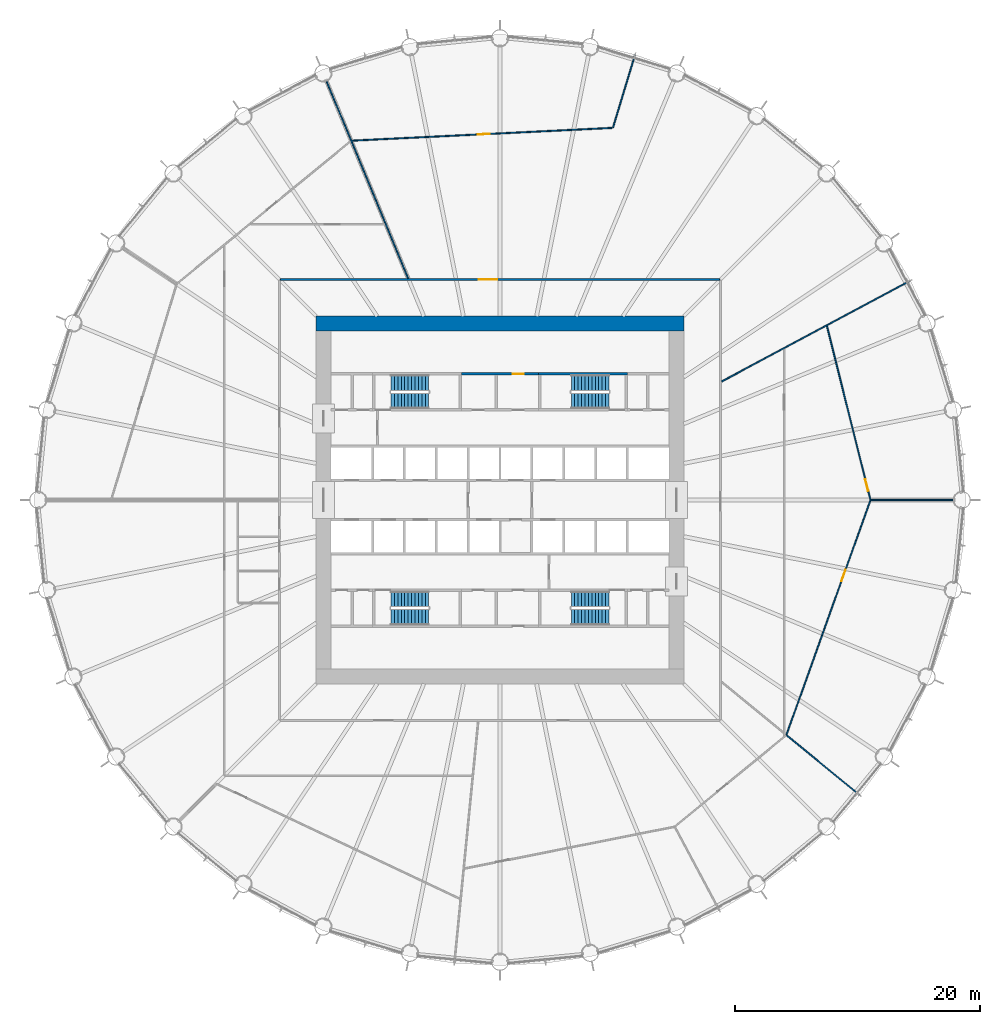
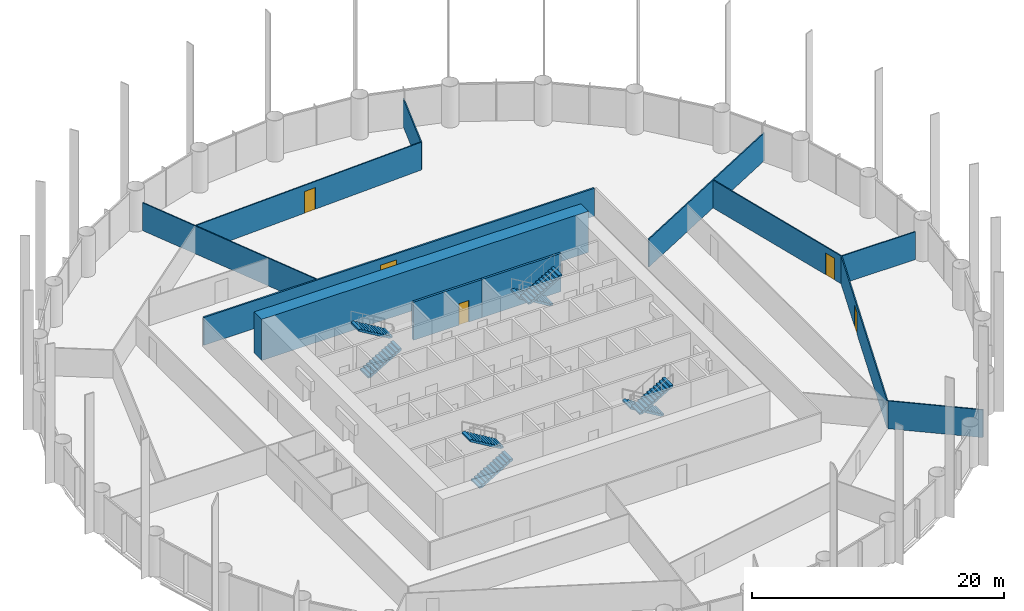
# One storey, part 12 of 14: 12 walls, 8 stair flights, 5 doors, 5 openings, 4 elements without a shape of their own.
"""IFC4 building model written with IfcOpenShell, lengths in metres."""

from ifc_helpers import new_model, si_unit, direction, frame, frame_2d, origin, place, context, subcontext, project, spatial, polyline, rectangle, outline, extrude, material, layer, layer_set, type_object, element, fill, aggregate, save


model = new_model("IFC4")

# Units and contexts
model_context = context("Model", 3, precision=1e-05, world=origin(), true_north=direction((0.0, 1.0)))
body_context = subcontext(model_context, "Body", "Model", "MODEL_VIEW")
ifc_project = project(units=[si_unit("LENGTHUNIT", "METRE"), si_unit("AREAUNIT", "SQUARE_METRE"), si_unit("VOLUMEUNIT", "CUBIC_METRE"), si_unit("PLANEANGLEUNIT", "RADIAN"), si_unit("MASSUNIT", "GRAM", prefix="KILO")], contexts=[model_context])

# Site, building, storey
site_placement = place(None, origin())
site = spatial("IfcSite", under=ifc_project, at=site_placement, CompositionType="ELEMENT")
building_placement = place(site_placement, origin())
building = spatial("IfcBuilding", under=site, at=building_placement, Name="Corvane Civic Tower", CompositionType="ELEMENT")
storey_placement = place(building_placement, frame((0.0, 0.0, 77.0)))
storey = spatial("IfcBuildingStorey", under=building, at=storey_placement, Name="L17", CompositionType="ELEMENT", Elevation=77.0)

# Wall
ifc_material_1 = material(Name="Concrete C80/95", Category="concrete")
ifc_layer_1 = layer(ifc_material_1, 1.199951171875)
ifc_layer_set_1 = layer_set([ifc_layer_1], Name="Concrete C80/95")
wall_type_1 = type_object("IfcWallType", Name="CORE WALL 1200 C80/95", PredefinedType="SHEAR", material=ifc_layer_set_1)
wall_1_placement = place(storey_placement, frame((-15.0, 14.39990234375, 0.0), z_axis=(0.0, 0.0, 1.0), x_axis=(1.0, 0.0, 0.0)))
element("IfcWall", 1, at=wall_1_placement, inside=storey, type_object=wall_type_1, Name="W-L17-core-N", PredefinedType="SHEAR", context=body_context, shape_type="SweptSolid", body=[
    extrude(rectangle(XDim=30.0, YDim=1.199951171875, at=frame_2d((15.0, 0.0))), origin(), (0.0, 0.0, 1.0), 4.0),
])

# Wall, opening, door
ifc_material_2 = material(Name="Concrete C30/37", Category="concrete")
ifc_layer_2 = layer(ifc_material_2, 0.199951171875)
ifc_layer_set_2 = layer_set([ifc_layer_2], Name="Concrete C30/37")
wall_type_2 = type_object("IfcWallType", Name="CR-WALL-200", PredefinedType="PARTITIONING", material=ifc_layer_set_2)
wall_2_placement = place(storey_placement, frame((-3.14990234375, 10.300048828125, 0.0), z_axis=(0.0, 0.0, 1.0), x_axis=(1.0, 0.0, 0.0)))
wall_2 = element("IfcWall", 2, at=wall_2_placement, inside=storey, type_object=wall_type_2, Name="L17 partition wall", PredefinedType="PARTITIONING", context=body_context, shape_type="SweptSolid", body=[
    extrude(rectangle(XDim=6.2998046875, YDim=0.199951171875, at=frame_2d((3.14990234375, 0.0))), origin(), (0.0, 0.0, 1.0), 3.699951171875),
])
opening_1_placement = place(wall_2_placement, frame((4.175048828125, 0.0, 0.0)))
opening_1 = element("IfcOpeningElement", 3, at=opening_1_placement, cuts=wall_2, Name="Opening L17.C06", PredefinedType="OPENING", context=body_context, shape_type="SweptSolid", body=[
    extrude(rectangle(XDim=0.89990234375, YDim=2.10009765625, at=frame_2d((0.449951171875, 1.050048828125))), frame((0.0, 0.10986328125, 0.0), z_axis=(0.0, -1.0, 0.0), x_axis=(1.0, 0.0, 0.0)), (0.0, 0.0, 1.0), 0.219970703125),
])
ifc_material_3 = material(Name="Steel fire door leaf", Category="steel")
door_type_1 = type_object("IfcDoorType", Name="CR-DOOR-900", OperationType="SINGLE_SWING_LEFT", PredefinedType="DOOR", material=ifc_material_3)
door_1_placement = place(opening_1_placement, origin())
door_1 = element("IfcDoor", 4, at=door_1_placement, inside=storey, type_object=door_type_1, Name="L17 door", OperationType="SINGLE_SWING_LEFT", OverallHeight=2.10009765625, OverallWidth=0.89990234375, PredefinedType="DOOR", context=body_context, shape_type="SweptSolid", body=[
    extrude(rectangle(XDim=0.89990234375, YDim=2.10009765625, at=frame_2d((0.449951171875, 1.050048828125))), frame((0.0, 0.02490234375, 0.0), z_axis=(0.0, -1.0, 0.0), x_axis=(1.0, 0.0, 0.0)), (0.0, 0.0, 1.0), 0.050048828125),
])
fill(opening_1, door_1)

# Wall
ifc_material_4 = material(Name="Plasterboard")
ifc_layer_3 = layer(ifc_material_4, 0.10009765625)
ifc_layer_set_3 = layer_set([ifc_layer_3], Name="Plasterboard")
wall_type_3 = type_object("IfcWallType", Name="Partition 100 plasterboard on studs", PredefinedType="PARTITIONING", material=ifc_layer_set_3)
wall_3_placement = place(storey_placement, frame((23.408203125, -19.210693359375, 0.0), z_axis=(0.0, 0.0, 1.0), x_axis=(0.773027331533, -0.634372717496, 0.0)))
element("IfcWall", 5, at=wall_3_placement, inside=storey, type_object=wall_type_3, Name="Partition L17.007", PredefinedType="PARTITIONING", context=body_context, shape_type="SweptSolid", body=[
    extrude(rectangle(XDim=7.668212890625, YDim=0.10009765625, at=frame_2d((3.833984375, 0.0))), origin(), (0.0, 0.0, 1.0), 2.699951171875),
])

# Wall, opening, door
wall_4_placement = place(storey_placement, frame((23.388427734375, -19.151611328125, 0.0), z_axis=(0.0, 0.0, 1.0), x_axis=(0.336885502115, 0.941545622083, 0.0)))
wall_4 = element("IfcWall", 6, at=wall_4_placement, inside=storey, type_object=wall_type_3, Name="Partition L17.011", PredefinedType="PARTITIONING", context=body_context, shape_type="SweptSolid", body=[
    extrude(rectangle(XDim=20.305419921875, YDim=0.10009765625, at=frame_2d((10.15283203125, 0.0))), origin(), (0.0, 0.0, 1.0), 2.699951171875),
])
opening_2_placement = place(wall_4_placement, frame((13.295166015625, 0.0, 0.0)))
opening_2 = element("IfcOpeningElement", 7, at=opening_2_placement, cuts=wall_4, Name="Opening L17.004", PredefinedType="OPENING", context=body_context, shape_type="SweptSolid", body=[
    extrude(rectangle(XDim=1.0, YDim=2.10009765625, at=frame_2d((0.5, 1.050048828125))), frame((0.0, 0.06005859375, 0.0), z_axis=(0.0, -1.0, 0.0), x_axis=(1.0, 0.0, 0.0)), (0.0, 0.0, 1.0), 0.1201171875),
])
ifc_material_5 = material(Name="Timber", Category="wood")
door_type_2 = type_object("IfcDoorType", Name="Single door 1000", OperationType="NOTDEFINED", PredefinedType="DOOR", material=ifc_material_5)
door_2_placement = place(opening_2_placement, frame((1.0, 0.0, 0.0), z_axis=(0.0, 0.0, 1.0), x_axis=(-1.0, 0.0, 0.0)))
door_2 = element("IfcDoor", 8, at=door_2_placement, inside=storey, type_object=door_type_2, Name="Door L17.004", OperationType="SINGLE_SWING_LEFT", OverallHeight=2.10009765625, OverallWidth=1.0, PredefinedType="DOOR", context=body_context, shape_type="SweptSolid", body=[
    extrude(rectangle(XDim=1.0, YDim=2.10009765625, at=frame_2d((0.5, 1.050048828125))), frame((0.0, 0.02490234375, 0.0), z_axis=(0.0, -1.0, 0.0), x_axis=(1.0, 0.0, 0.0)), (0.0, 0.0, 1.0), 0.050048828125),
])
fill(opening_2, door_2)

# Wall
wall_5_placement = place(storey_placement, frame((30.280029296875, 0.0, 0.0), z_axis=(0.0, 0.0, 1.0), x_axis=(1.0, 0.0, 0.0)))
element("IfcWall", 9, at=wall_5_placement, inside=storey, type_object=wall_type_3, Name="Partition L17.022", PredefinedType="PARTITIONING", context=body_context, shape_type="SweptSolid", body=[
    extrude(rectangle(XDim=6.7099609375, YDim=0.10009765625, at=frame_2d((3.35498046875, 0.0))), origin(), (0.0, 0.0, 1.0), 2.699951171875),
])

# Wall, opening, door
wall_6_placement = place(storey_placement, frame((26.685546875, 14.193359375, 0.0), z_axis=(0.0, 0.0, 1.0), x_axis=(0.242988296058, -0.970029220168, 0.0)))
wall_6 = element("IfcWall", 10, at=wall_6_placement, inside=storey, type_object=wall_type_3, Name="Partition L17.023", PredefinedType="PARTITIONING", context=body_context, shape_type="SweptSolid", body=[
    extrude(rectangle(XDim=14.5927734375, YDim=0.10009765625, at=frame_2d((7.29638671875, 0.0))), origin(), (0.0, 0.0, 1.0), 2.699951171875),
])
opening_3_placement = place(wall_6_placement, frame((12.87353515625, 0.0, 0.0)))
opening_3 = element("IfcOpeningElement", 11, at=opening_3_placement, cuts=wall_6, Name="Opening L17.003", PredefinedType="OPENING", context=body_context, shape_type="SweptSolid", body=[
    extrude(rectangle(XDim=1.0, YDim=2.10009765625, at=frame_2d((0.5, 1.050048828125))), frame((0.0, 0.06005859375, 0.0), z_axis=(0.0, -1.0, 0.0), x_axis=(1.0, 0.0, 0.0)), (0.0, 0.0, 1.0), 0.1201171875),
])
door_3_placement = place(opening_3_placement, origin())
door_3 = element("IfcDoor", 12, at=door_3_placement, inside=storey, type_object=door_type_2, Name="Door L17.003", OperationType="SINGLE_SWING_RIGHT", OverallHeight=2.10009765625, OverallWidth=1.0, PredefinedType="DOOR", context=body_context, shape_type="SweptSolid", body=[
    extrude(rectangle(XDim=1.0, YDim=2.10009765625, at=frame_2d((0.5, 1.050048828125))), frame((0.0, 0.02490234375, 0.0), z_axis=(0.0, -1.0, 0.0), x_axis=(1.0, 0.0, 0.0)), (0.0, 0.0, 1.0), 0.050048828125),
])
fill(opening_3, door_3)

# Walls
wall_7_placement = place(storey_placement, frame((18.0986328125, 9.673828125, 0.0), z_axis=(0.0, 0.0, 1.0), x_axis=(0.881916707753, 0.471405261517, 0.0)))
element("IfcWall", 13, at=wall_7_placement, inside=storey, type_object=wall_type_3, Name="Partition L17.025", PredefinedType="PARTITIONING", context=body_context, shape_type="SweptSolid", body=[
    extrude(rectangle(XDim=17.428466796875, YDim=0.10009765625, at=frame_2d((8.71435546875, 0.0))), origin(), (0.0, 0.0, 1.0), 2.699951171875),
])
wall_8_placement = place(storey_placement, frame((-14.155517578125, 34.17431640625, 0.0), z_axis=(0.0, 0.0, 1.0), x_axis=(0.38268132175, -0.923880406754, 0.0)))
element("IfcWall", 14, at=wall_8_placement, inside=storey, type_object=wall_type_3, Name="Partition L17.029", PredefinedType="PARTITIONING", context=body_context, shape_type="SweptSolid", body=[
    extrude(rectangle(XDim=17.4052734375, YDim=0.10009765625, at=frame_2d((8.70263671875, 0.0))), origin(), (0.0, 0.0, 1.0), 2.699951171875),
])

# Wall, opening, door
wall_9_placement = place(storey_placement, frame((-12.076416015625, 29.330078125, 0.0), z_axis=(0.0, 0.0, 1.0), x_axis=(0.998795529812, 0.049066175999, 0.0)))
wall_9 = element("IfcWall", 15, at=wall_9_placement, inside=storey, type_object=wall_type_3, Name="Partition L17.031", PredefinedType="PARTITIONING", context=body_context, shape_type="SweptSolid", body=[
    extrude(rectangle(XDim=21.28125, YDim=0.10009765625, at=frame_2d((10.640625, 0.0))), origin(), (0.0, 0.0, 1.0), 2.699951171875),
])
opening_4_placement = place(wall_9_placement, frame((10.26123046875, 0.0, 0.0)))
opening_4 = element("IfcOpeningElement", 16, at=opening_4_placement, cuts=wall_9, Name="Opening L17.001", PredefinedType="OPENING", context=body_context, shape_type="SweptSolid", body=[
    extrude(rectangle(XDim=1.0, YDim=2.10009765625, at=frame_2d((0.5, 1.050048828125))), frame((0.0, 0.06005859375, 0.0), z_axis=(0.0, -1.0, 0.0), x_axis=(1.0, 0.0, 0.0)), (0.0, 0.0, 1.0), 0.1201171875),
])
door_4_placement = place(opening_4_placement, origin())
door_4 = element("IfcDoor", 17, at=door_4_placement, inside=storey, type_object=door_type_2, Name="Door L17.001", OperationType="SINGLE_SWING_LEFT", OverallHeight=2.10009765625, OverallWidth=1.0, PredefinedType="DOOR", context=body_context, shape_type="SweptSolid", body=[
    extrude(rectangle(XDim=1.0, YDim=2.10009765625, at=frame_2d((0.5, 1.050048828125))), frame((0.0, 0.02490234375, 0.0), z_axis=(0.0, -1.0, 0.0), x_axis=(1.0, 0.0, 0.0)), (0.0, 0.0, 1.0), 0.050048828125),
])
fill(opening_4, door_4)

# Walls
wall_10_placement = place(storey_placement, frame((9.224609375, 30.40966796875, 0.0), z_axis=(0.0, 0.0, 1.0), x_axis=(0.290289519442, 0.956938866857, 0.0)))
element("IfcWall", 18, at=wall_10_placement, inside=storey, type_object=wall_type_3, Name="Partition L17.032", PredefinedType="PARTITIONING", context=body_context, shape_type="SweptSolid", body=[
    extrude(rectangle(XDim=6.17236328125, YDim=0.10009765625, at=frame_2d((3.086181640625, 0.0))), origin(), (0.0, 0.0, 1.0), 2.699951171875),
])
ifc_material_6 = material(Name="Concrete C50/60", Category="concrete")
ifc_layer_4 = layer(ifc_material_6, 0.199951171875)
ifc_layer_set_4 = layer_set([ifc_layer_4], Name="Concrete C50/60")
wall_type_4 = type_object("IfcWallType", Name="ST-WALL-200", PredefinedType="SHEAR", material=ifc_layer_set_4)
wall_11_placement = place(storey_placement, origin())
element("IfcWall", 19, at=wall_11_placement, inside=storey, type_object=wall_type_4, Name="L17 stair enclosure wall", PredefinedType="SHEAR", context=body_context, shape_type="SweptSolid", body=[
    extrude(outline(polyline([(10.39990234375, 10.199951171875), (3.14990234375, 10.199951171875), (3.14990234375, 10.39990234375), (10.39990234375, 10.39990234375), (10.39990234375, 10.199951171875)])), origin(), (0.0, 0.0, 1.0), 3.699951171875),
])

# Wall, opening, door
ifc_material_7 = material(Name="Plasterboard")
ifc_layer_5 = layer(ifc_material_7, 0.14990234375)
ifc_layer_set_5 = layer_set([ifc_layer_5], Name="Plasterboard")
wall_type_5 = type_object("IfcWallType", Name="Tenancy wall 150 EI 60", PredefinedType="PARTITIONING", material=ifc_layer_set_5)
wall_12_placement = place(storey_placement, frame((-17.925048828125, 18.0, 0.0), z_axis=(0.0, 0.0, 1.0), x_axis=(1.0, 0.0, 0.0)))
wall_12 = element("IfcWall", 20, at=wall_12_placement, inside=storey, type_object=wall_type_5, Name="Partition L17.028", PredefinedType="PARTITIONING", context=body_context, shape_type="SweptSolid", body=[
    extrude(rectangle(XDim=35.85009765625, YDim=0.14990234375, at=frame_2d((17.925048828125, 0.0))), origin(), (0.0, 0.0, 1.0), 2.699951171875),
])
opening_5_placement = place(wall_12_placement, frame((16.193603515625, 0.0, 0.0)))
opening_5 = element("IfcOpeningElement", 21, at=opening_5_placement, cuts=wall_12, Name="Opening L17.002", PredefinedType="OPENING", context=body_context, shape_type="SweptSolid", body=[
    extrude(rectangle(XDim=1.5, YDim=2.10009765625, at=frame_2d((0.75, 1.050048828125))), frame((0.0, 0.0849609375, 0.0), z_axis=(0.0, -1.0, 0.0), x_axis=(1.0, 0.0, 0.0)), (0.0, 0.0, 1.0), 0.169921875),
])
ifc_material_8 = material(Name="Steel and timber", Category="steel")
door_type_3 = type_object("IfcDoorType", Name="Fire door FD60 double 1500", OperationType="NOTDEFINED", PredefinedType="DOOR", material=ifc_material_8)
door_5_placement = place(opening_5_placement, origin())
door_5 = element("IfcDoor", 22, at=door_5_placement, inside=storey, type_object=door_type_3, Name="Door L17.002", OperationType="DOUBLE_DOOR_SINGLE_SWING", OverallHeight=2.10009765625, OverallWidth=1.5, PredefinedType="DOOR", context=body_context, shape_type="SweptSolid", body=[
    extrude(rectangle(XDim=1.5, YDim=2.10009765625, at=frame_2d((0.75, 1.050048828125))), frame((0.0, 0.02490234375, 0.0), z_axis=(0.0, -1.0, 0.0), x_axis=(1.0, 0.0, 0.0)), (0.0, 0.0, 1.0), 0.050048828125),
])
fill(opening_5, door_5)

# Stair, stair flights
ifc_material_9 = material(Name="Concrete C40/50", Category="concrete")
stair_type = type_object("IfcStairType", Name="ST-STAIR-HALFTURN", PredefinedType="HALF_TURN_STAIR", material=ifc_material_9)
stair_1_placement = place(storey_placement, origin())
stair_1 = element("IfcStair", 23, at=stair_1_placement, inside=storey, type_object=stair_type, Name="L17 Exit stair ST1", PredefinedType="HALF_TURN_STAIR")
ifc_material_10 = material(Name="Concrete C40/50", Category="concrete")
stair_flight_type = type_object("IfcStairFlightType", Name="ST-FLIGHT-RC", PredefinedType="STRAIGHT", material=ifc_material_10)
stair_flight_1_placement = place(storey_placement, frame((8.89990234375, 9.550048828125, 0.0), z_axis=(0.0, 0.0, 1.0), x_axis=(-1.0, 0.0, 0.0)))
stair_flight_1 = element("IfcStairFlight", 24, at=stair_flight_1_placement, type_object=stair_flight_type, Name="ST1 flight 1", NumberOfRisers=12, NumberOfTreads=11, PredefinedType="STRAIGHT", RiserHeight=0.166666667, TreadLength=0.28, context=body_context, shape_type="SweptSolid", body=[
    extrude(outline(polyline([(0.0, 0.0), (0.0, 0.166748046875), (0.280029296875, 0.166748046875), (0.280029296875, 0.333251953125), (0.56005859375, 0.333251953125), (0.56005859375, 0.5), (0.840087890625, 0.5), (0.840087890625, 0.666748046875), (1.1201171875, 0.666748046875), (1.1201171875, 0.833251953125), (1.39990234375, 0.833251953125), (1.39990234375, 1.0), (1.679931640625, 1.0), (1.679931640625, 1.166748046875), (1.9599609375, 1.166748046875), (1.9599609375, 1.333251953125), (2.239990234375, 1.333251953125), (2.239990234375, 1.5), (2.52001953125, 1.5), (2.52001953125, 1.666748046875), (2.800048828125, 1.666748046875), (2.800048828125, 1.833251953125), (3.080078125, 1.833251953125), (3.080078125, 2.0), (3.080078125, 1.658935546875), (0.29296875, 0.0), (0.0, 0.0)])), frame((0.0, 0.64990234375, 0.0), z_axis=(0.0, -1.0, 0.0), x_axis=(1.0, 0.0, 0.0)), (0.0, 0.0, 1.0), 1.300048828125),
])
stair_flight_2_placement = place(storey_placement, frame((5.820068359375, 8.10009765625, 2.0), z_axis=(0.0, 0.0, 1.0), x_axis=(1.0, 0.0, 0.0)))
stair_flight_2 = element("IfcStairFlight", 25, at=stair_flight_2_placement, type_object=stair_flight_type, Name="ST1 flight 2", NumberOfRisers=12, NumberOfTreads=11, PredefinedType="STRAIGHT", RiserHeight=0.166666667, TreadLength=0.28, context=body_context, shape_type="SweptSolid", body=[
    extrude(outline(polyline([(0.0, 0.0), (0.0, 0.166748046875), (0.280029296875, 0.166748046875), (0.280029296875, 0.333251953125), (0.56005859375, 0.333251953125), (0.56005859375, 0.5), (0.840087890625, 0.5), (0.840087890625, 0.666748046875), (1.1201171875, 0.666748046875), (1.1201171875, 0.833251953125), (1.39990234375, 0.833251953125), (1.39990234375, 1.0), (1.679931640625, 1.0), (1.679931640625, 1.166748046875), (1.9599609375, 1.166748046875), (1.9599609375, 1.333251953125), (2.239990234375, 1.333251953125), (2.239990234375, 1.5), (2.52001953125, 1.5), (2.52001953125, 1.666748046875), (2.800048828125, 1.666748046875), (2.800048828125, 1.833251953125), (3.080078125, 1.833251953125), (3.080078125, 2.0), (3.080078125, 1.658935546875), (0.29296875, 0.0), (0.0, 0.0)])), frame((0.0, 0.64990234375, 0.0), z_axis=(0.0, -1.0, 0.0), x_axis=(1.0, 0.0, 0.0)), (0.0, 0.0, 1.0), 1.300048828125),
])
aggregate(stair_1, [stair_flight_1, stair_flight_2])

stair_2_placement = place(storey_placement, origin())
stair_2 = element("IfcStair", 26, at=stair_2_placement, inside=storey, type_object=stair_type, Name="L17 Exit stair ST2", PredefinedType="HALF_TURN_STAIR")
stair_flight_3_placement = place(storey_placement, frame((8.89990234375, -8.10009765625, 0.0), z_axis=(0.0, 0.0, 1.0), x_axis=(-1.0, 0.0, 0.0)))
stair_flight_3 = element("IfcStairFlight", 27, at=stair_flight_3_placement, type_object=stair_flight_type, Name="ST2 flight 1", NumberOfRisers=12, NumberOfTreads=11, PredefinedType="STRAIGHT", RiserHeight=0.166666667, TreadLength=0.28, context=body_context, shape_type="SweptSolid", body=[
    extrude(outline(polyline([(0.0, 0.0), (0.0, 0.166748046875), (0.280029296875, 0.166748046875), (0.280029296875, 0.333251953125), (0.56005859375, 0.333251953125), (0.56005859375, 0.5), (0.840087890625, 0.5), (0.840087890625, 0.666748046875), (1.1201171875, 0.666748046875), (1.1201171875, 0.833251953125), (1.39990234375, 0.833251953125), (1.39990234375, 1.0), (1.679931640625, 1.0), (1.679931640625, 1.166748046875), (1.9599609375, 1.166748046875), (1.9599609375, 1.333251953125), (2.239990234375, 1.333251953125), (2.239990234375, 1.5), (2.52001953125, 1.5), (2.52001953125, 1.666748046875), (2.800048828125, 1.666748046875), (2.800048828125, 1.833251953125), (3.080078125, 1.833251953125), (3.080078125, 2.0), (3.080078125, 1.658935546875), (0.29296875, 0.0), (0.0, 0.0)])), frame((0.0, 0.64990234375, 0.0), z_axis=(0.0, -1.0, 0.0), x_axis=(1.0, 0.0, 0.0)), (0.0, 0.0, 1.0), 1.300048828125),
])
stair_flight_4_placement = place(storey_placement, frame((5.820068359375, -9.550048828125, 2.0), z_axis=(0.0, 0.0, 1.0), x_axis=(1.0, 0.0, 0.0)))
stair_flight_4 = element("IfcStairFlight", 28, at=stair_flight_4_placement, type_object=stair_flight_type, Name="ST2 flight 2", NumberOfRisers=12, NumberOfTreads=11, PredefinedType="STRAIGHT", RiserHeight=0.166666667, TreadLength=0.28, context=body_context, shape_type="SweptSolid", body=[
    extrude(outline(polyline([(0.0, 0.0), (0.0, 0.166748046875), (0.280029296875, 0.166748046875), (0.280029296875, 0.333251953125), (0.56005859375, 0.333251953125), (0.56005859375, 0.5), (0.840087890625, 0.5), (0.840087890625, 0.666748046875), (1.1201171875, 0.666748046875), (1.1201171875, 0.833251953125), (1.39990234375, 0.833251953125), (1.39990234375, 1.0), (1.679931640625, 1.0), (1.679931640625, 1.166748046875), (1.9599609375, 1.166748046875), (1.9599609375, 1.333251953125), (2.239990234375, 1.333251953125), (2.239990234375, 1.5), (2.52001953125, 1.5), (2.52001953125, 1.666748046875), (2.800048828125, 1.666748046875), (2.800048828125, 1.833251953125), (3.080078125, 1.833251953125), (3.080078125, 2.0), (3.080078125, 1.658935546875), (0.29296875, 0.0), (0.0, 0.0)])), frame((0.0, 0.64990234375, 0.0), z_axis=(0.0, -1.0, 0.0), x_axis=(1.0, 0.0, 0.0)), (0.0, 0.0, 1.0), 1.300048828125),
])
aggregate(stair_2, [stair_flight_3, stair_flight_4])

stair_3_placement = place(storey_placement, origin())
stair_3 = element("IfcStair", 29, at=stair_3_placement, inside=storey, type_object=stair_type, Name="L17 Exit stair ST3", PredefinedType="HALF_TURN_STAIR")
stair_flight_5_placement = place(storey_placement, frame((-8.89990234375, -9.550048828125, 0.0), z_axis=(0.0, 0.0, 1.0), x_axis=(1.0, 0.0, 0.0)))
stair_flight_5 = element("IfcStairFlight", 30, at=stair_flight_5_placement, type_object=stair_flight_type, Name="ST3 flight 1", NumberOfRisers=12, NumberOfTreads=11, PredefinedType="STRAIGHT", RiserHeight=0.166666667, TreadLength=0.28, context=body_context, shape_type="SweptSolid", body=[
    extrude(outline(polyline([(0.0, 0.0), (0.0, 0.166748046875), (0.280029296875, 0.166748046875), (0.280029296875, 0.333251953125), (0.56005859375, 0.333251953125), (0.56005859375, 0.5), (0.840087890625, 0.5), (0.840087890625, 0.666748046875), (1.1201171875, 0.666748046875), (1.1201171875, 0.833251953125), (1.39990234375, 0.833251953125), (1.39990234375, 1.0), (1.679931640625, 1.0), (1.679931640625, 1.166748046875), (1.9599609375, 1.166748046875), (1.9599609375, 1.333251953125), (2.239990234375, 1.333251953125), (2.239990234375, 1.5), (2.52001953125, 1.5), (2.52001953125, 1.666748046875), (2.800048828125, 1.666748046875), (2.800048828125, 1.833251953125), (3.080078125, 1.833251953125), (3.080078125, 2.0), (3.080078125, 1.658935546875), (0.29296875, 0.0), (0.0, 0.0)])), frame((0.0, 0.64990234375, 0.0), z_axis=(0.0, -1.0, 0.0), x_axis=(1.0, 0.0, 0.0)), (0.0, 0.0, 1.0), 1.300048828125),
])
stair_flight_6_placement = place(storey_placement, frame((-5.820068359375, -8.10009765625, 2.0), z_axis=(0.0, 0.0, 1.0), x_axis=(-1.0, 0.0, 0.0)))
stair_flight_6 = element("IfcStairFlight", 31, at=stair_flight_6_placement, type_object=stair_flight_type, Name="ST3 flight 2", NumberOfRisers=12, NumberOfTreads=11, PredefinedType="STRAIGHT", RiserHeight=0.166666667, TreadLength=0.28, context=body_context, shape_type="SweptSolid", body=[
    extrude(outline(polyline([(0.0, 0.0), (0.0, 0.166748046875), (0.280029296875, 0.166748046875), (0.280029296875, 0.333251953125), (0.56005859375, 0.333251953125), (0.56005859375, 0.5), (0.840087890625, 0.5), (0.840087890625, 0.666748046875), (1.1201171875, 0.666748046875), (1.1201171875, 0.833251953125), (1.39990234375, 0.833251953125), (1.39990234375, 1.0), (1.679931640625, 1.0), (1.679931640625, 1.166748046875), (1.9599609375, 1.166748046875), (1.9599609375, 1.333251953125), (2.239990234375, 1.333251953125), (2.239990234375, 1.5), (2.52001953125, 1.5), (2.52001953125, 1.666748046875), (2.800048828125, 1.666748046875), (2.800048828125, 1.833251953125), (3.080078125, 1.833251953125), (3.080078125, 2.0), (3.080078125, 1.658935546875), (0.29296875, 0.0), (0.0, 0.0)])), frame((0.0, 0.64990234375, 0.0), z_axis=(0.0, -1.0, 0.0), x_axis=(1.0, 0.0, 0.0)), (0.0, 0.0, 1.0), 1.300048828125),
])
aggregate(stair_3, [stair_flight_5, stair_flight_6])

stair_4_placement = place(storey_placement, origin())
stair_4 = element("IfcStair", 32, at=stair_4_placement, inside=storey, type_object=stair_type, Name="L17 Exit stair ST4", PredefinedType="HALF_TURN_STAIR")
stair_flight_7_placement = place(storey_placement, frame((-8.89990234375, 8.10009765625, 0.0), z_axis=(0.0, 0.0, 1.0), x_axis=(1.0, 0.0, 0.0)))
stair_flight_7 = element("IfcStairFlight", 33, at=stair_flight_7_placement, type_object=stair_flight_type, Name="ST4 flight 1", NumberOfRisers=12, NumberOfTreads=11, PredefinedType="STRAIGHT", RiserHeight=0.166666667, TreadLength=0.28, context=body_context, shape_type="SweptSolid", body=[
    extrude(outline(polyline([(0.0, 0.0), (0.0, 0.166748046875), (0.280029296875, 0.166748046875), (0.280029296875, 0.333251953125), (0.56005859375, 0.333251953125), (0.56005859375, 0.5), (0.840087890625, 0.5), (0.840087890625, 0.666748046875), (1.1201171875, 0.666748046875), (1.1201171875, 0.833251953125), (1.39990234375, 0.833251953125), (1.39990234375, 1.0), (1.679931640625, 1.0), (1.679931640625, 1.166748046875), (1.9599609375, 1.166748046875), (1.9599609375, 1.333251953125), (2.239990234375, 1.333251953125), (2.239990234375, 1.5), (2.52001953125, 1.5), (2.52001953125, 1.666748046875), (2.800048828125, 1.666748046875), (2.800048828125, 1.833251953125), (3.080078125, 1.833251953125), (3.080078125, 2.0), (3.080078125, 1.658935546875), (0.29296875, 0.0), (0.0, 0.0)])), frame((0.0, 0.64990234375, 0.0), z_axis=(0.0, -1.0, 0.0), x_axis=(1.0, 0.0, 0.0)), (0.0, 0.0, 1.0), 1.300048828125),
])
stair_flight_8_placement = place(storey_placement, frame((-5.820068359375, 9.550048828125, 2.0), z_axis=(0.0, 0.0, 1.0), x_axis=(-1.0, 0.0, 0.0)))
stair_flight_8 = element("IfcStairFlight", 34, at=stair_flight_8_placement, type_object=stair_flight_type, Name="ST4 flight 2", NumberOfRisers=12, NumberOfTreads=11, PredefinedType="STRAIGHT", RiserHeight=0.166666667, TreadLength=0.28, context=body_context, shape_type="SweptSolid", body=[
    extrude(outline(polyline([(0.0, 0.0), (0.0, 0.166748046875), (0.280029296875, 0.166748046875), (0.280029296875, 0.333251953125), (0.56005859375, 0.333251953125), (0.56005859375, 0.5), (0.840087890625, 0.5), (0.840087890625, 0.666748046875), (1.1201171875, 0.666748046875), (1.1201171875, 0.833251953125), (1.39990234375, 0.833251953125), (1.39990234375, 1.0), (1.679931640625, 1.0), (1.679931640625, 1.166748046875), (1.9599609375, 1.166748046875), (1.9599609375, 1.333251953125), (2.239990234375, 1.333251953125), (2.239990234375, 1.5), (2.52001953125, 1.5), (2.52001953125, 1.666748046875), (2.800048828125, 1.666748046875), (2.800048828125, 1.833251953125), (3.080078125, 1.833251953125), (3.080078125, 2.0), (3.080078125, 1.658935546875), (0.29296875, 0.0), (0.0, 0.0)])), frame((0.0, 0.64990234375, 0.0), z_axis=(0.0, -1.0, 0.0), x_axis=(1.0, 0.0, 0.0)), (0.0, 0.0, 1.0), 1.300048828125),
])
aggregate(stair_4, [stair_flight_7, stair_flight_8])

save(model, "model.ifc")
